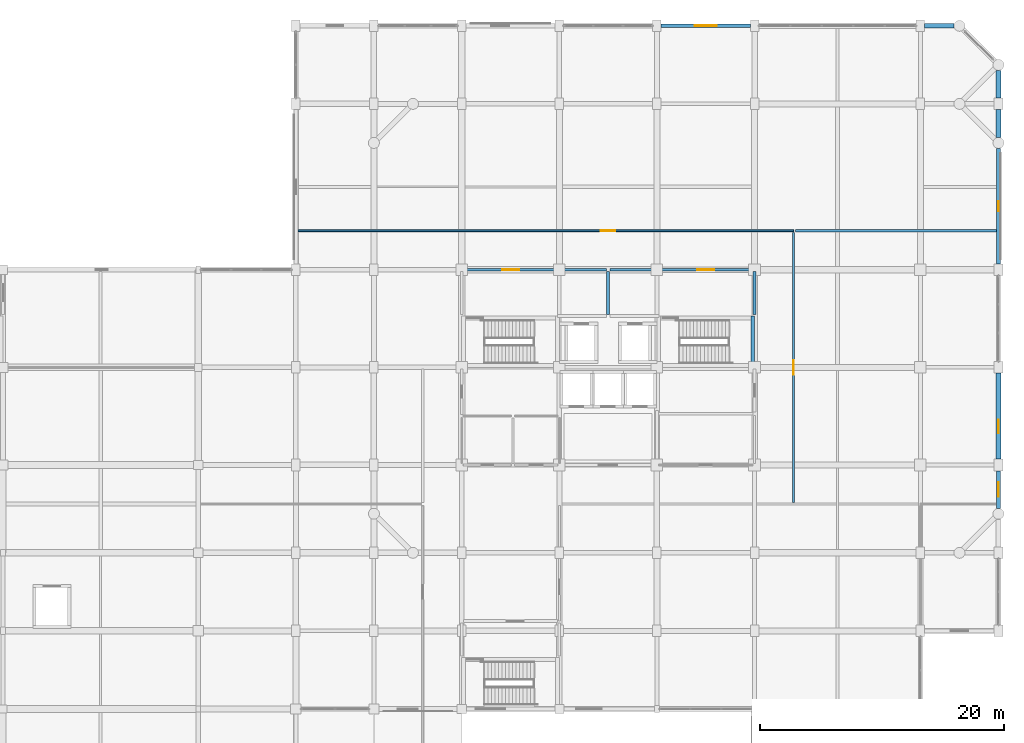
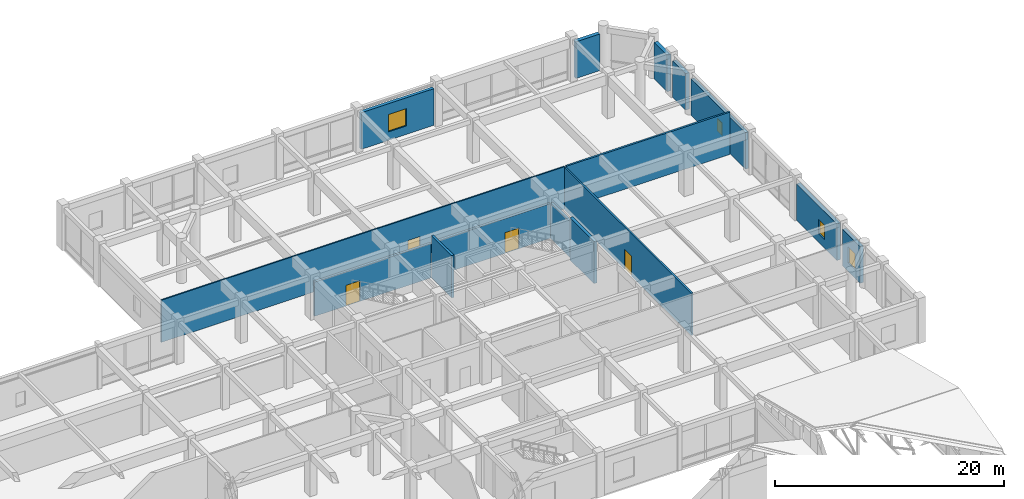
# One storey, part 55 of 61: 15 walls, 4 doors, 4 windows, 8 openings.
"""IFC4 building model written with IfcOpenShell, lengths in metres."""

from ifc_helpers import new_model, si_unit, direction, frame, frame_2d, origin, place, context, subcontext, project, spatial, rectangle, extrude, material, layer, layer_set, type_object, element, fill, save


model = new_model("IFC4")

# Units and contexts
model_context = context("Model", 3, precision=1e-05, world=origin(), true_north=direction((0.0, 1.0)))
body_context = subcontext(model_context, "Body", "Model", "MODEL_VIEW")
ifc_project = project(units=[si_unit("LENGTHUNIT", "METRE"), si_unit("AREAUNIT", "SQUARE_METRE"), si_unit("VOLUMEUNIT", "CUBIC_METRE"), si_unit("PLANEANGLEUNIT", "RADIAN"), si_unit("MASSUNIT", "GRAM", prefix="KILO")], contexts=[model_context])

# Site, building, storey
site_placement = place(None, origin())
site = spatial("IfcSite", under=ifc_project, at=site_placement, CompositionType="ELEMENT")
building_placement = place(site_placement, origin())
building = spatial("IfcBuilding", under=site, at=building_placement, Name="Vellmiral Cinema and Media Centre", CompositionType="ELEMENT")
storey_placement = place(building_placement, frame((0.0, 0.0, 10.800048828125)))
storey = spatial("IfcBuildingStorey", under=building, at=storey_placement, Name="L02", CompositionType="ELEMENT", Elevation=10.800048828125)

# Wall
ifc_material_1 = material(Name="Concrete C40/50", Category="concrete")
ifc_layer_1 = layer(ifc_material_1, 0.300048828125, Name="Concrete C40/50")
ifc_layer_set_1 = layer_set([ifc_layer_1], Name="Concrete C40/50")
wall_type_1 = type_object("IfcWallType", Name="WL-CORE-300", PredefinedType="SHEAR", material=ifc_layer_set_1)
wall_1_placement = place(storey_placement, frame((147.85009765625, 87.199951171875, 0.0), z_axis=(0.0, 0.0, 1.0), x_axis=(0.0, 1.0, 0.0)))
element("IfcWall", 1, at=wall_1_placement, inside=storey, type_object=wall_type_1, Name="Stair Core Wall ST-T2 L02-E", PredefinedType="SHEAR", context=body_context, shape_type="SweptSolid", body=[
    extrude(rectangle(XDim=4.199951171875, YDim=0.300048828125, at=frame_2d((2.10009765625, 0.0))), origin(), (0.0, 0.0, 1.0), 4.5),
])

# Wall, opening, window
ifc_material_2 = material(Name="Polychrome Glazed Ceramic Cladding", Category="masonry")
ifc_layer_2 = layer(ifc_material_2, 0.320068359375, Name="Polychrome Glazed Ceramic Cladding")
ifc_layer_set_2 = layer_set([ifc_layer_2], Name="Polychrome Glazed Ceramic Cladding")
wall_type_2 = type_object("IfcWallType", Name="WL-EXT-BRICK-320", PredefinedType="SOLIDWALL", material=ifc_layer_set_2)
wall_2_placement = place(storey_placement, frame((168.0, 75.64990234375, 0.0), z_axis=(0.0, 0.0, 1.0), x_axis=(0.0, 1.0, 0.0)))
wall_2 = element("IfcWall", 2, at=wall_2_placement, inside=storey, type_object=wall_type_2, Name="Exterior Facade Wall L02-045", PredefinedType="SOLIDWALL", context=body_context, shape_type="SweptSolid", body=[
    extrude(rectangle(XDim=3.0751953125, YDim=0.320068359375, at=frame_2d((1.53759765625, 0.0))), origin(), (0.0, 0.0, 1.0), 3.89990234375),
])
opening_1_placement = place(wall_2_placement, frame((0.9375, 0.0, 0.89990234375)))
opening_1 = element("IfcOpeningElement", 3, at=opening_1_placement, cuts=wall_2, Name="Opening WN-10", PredefinedType="OPENING", context=body_context, shape_type="SweptSolid", body=[
    extrude(rectangle(XDim=1.199951171875, YDim=1.699951171875, at=frame_2d((0.60009765625, 0.85009765625))), frame((0.0, 0.171875, 0.0), z_axis=(0.0, -1.0, 0.0), x_axis=(1.0, 0.0, 0.0)), (0.0, 0.0, 1.0), 0.343994140625),
])
ifc_material_3 = material(Name="Thermally Broken Aluminium Triple Glazing", Category="aluminium")
window_type_1 = type_object("IfcWindowType", Name="WN-1200x1700", PartitioningType="SINGLE_PANEL", PredefinedType="WINDOW", material=ifc_material_3)
window_1_placement = place(opening_1_placement, origin())
window_1 = element("IfcWindow", 4, at=window_1_placement, inside=storey, type_object=window_type_1, Name="Window L02-045", OverallHeight=1.699951171875, OverallWidth=1.199951171875, PartitioningType="SINGLE_PANEL", PredefinedType="WINDOW", context=body_context, shape_type="SweptSolid", body=[
    extrude(rectangle(XDim=1.199951171875, YDim=1.699951171875, at=frame_2d((0.60009765625, 0.85009765625))), frame((0.0, 0.030029296875, 0.0), z_axis=(0.0, -1.0, 0.0), x_axis=(1.0, 0.0, 0.0)), (0.0, 0.0, 1.0), 0.06005859375),
])
fill(opening_1, window_1)

wall_3_placement = place(storey_placement, frame((168.0, 95.675048828125, 0.0), z_axis=(0.0, 0.0, 1.0), x_axis=(0.0, 1.0, 0.0)))
wall_3 = element("IfcWall", 5, at=wall_3_placement, inside=storey, type_object=wall_type_2, Name="Exterior Facade Wall L02-048", PredefinedType="SOLIDWALL", context=body_context, shape_type="SweptSolid", body=[
    extrude(rectangle(XDim=9.474853515625, YDim=0.320068359375, at=frame_2d((4.7373046875, 0.0))), origin(), (0.0, 0.0, 1.0), 3.885009765625),
])
opening_2_placement = place(wall_3_placement, frame((4.3125, 0.0, 0.89990234375)))
opening_2 = element("IfcOpeningElement", 6, at=opening_2_placement, cuts=wall_3, Name="Opening WN-13", PredefinedType="OPENING", context=body_context, shape_type="SweptSolid", body=[
    extrude(rectangle(XDim=0.85009765625, YDim=1.35009765625, at=frame_2d((0.425048828125, 0.675048828125))), frame((0.0, 0.171875, 0.0), z_axis=(0.0, -1.0, 0.0), x_axis=(1.0, 0.0, 0.0)), (0.0, 0.0, 1.0), 0.343994140625),
])
ifc_material_4 = material(Name="Thermally Broken Aluminium Triple Glazing", Category="aluminium")
window_type_2 = type_object("IfcWindowType", Name="WN-0850x1350", PartitioningType="SINGLE_PANEL", PredefinedType="WINDOW", material=ifc_material_4)
window_2_placement = place(opening_2_placement, origin())
window_2 = element("IfcWindow", 7, at=window_2_placement, inside=storey, type_object=window_type_2, Name="Window L02-048", OverallHeight=1.35009765625, OverallWidth=0.85009765625, PartitioningType="SINGLE_PANEL", PredefinedType="WINDOW", context=body_context, shape_type="SweptSolid", body=[
    extrude(rectangle(XDim=0.85009765625, YDim=1.35009765625, at=frame_2d((0.425048828125, 0.675048828125))), frame((0.0, 0.030029296875, 0.0), z_axis=(0.0, -1.0, 0.0), x_axis=(1.0, 0.0, 0.0)), (0.0, 0.0, 1.0), 0.06005859375),
])
fill(opening_2, window_2)

wall_4_placement = place(storey_placement, frame((147.64990234375, 115.199951171875, 0.0), z_axis=(0.0, 0.0, 1.0), x_axis=(-1.0, 0.0, 0.0)))
wall_4 = element("IfcWall", 8, at=wall_4_placement, inside=storey, type_object=wall_type_2, Name="Exterior Facade Wall L02-054", PredefinedType="SOLIDWALL", context=body_context, shape_type="SweptSolid", body=[
    extrude(rectangle(XDim=7.2998046875, YDim=0.320068359375, at=frame_2d((3.64990234375, 0.0))), origin(), (0.0, 0.0, 1.0), 3.89990234375),
])
opening_3_placement = place(wall_4_placement, frame((2.75, 0.0, 0.89990234375)))
opening_3 = element("IfcOpeningElement", 9, at=opening_3_placement, cuts=wall_4, Name="Opening WN-04", PredefinedType="OPENING", context=body_context, shape_type="SweptSolid", body=[
    extrude(rectangle(XDim=1.800048828125, YDim=1.85009765625, at=frame_2d((0.89990234375, 0.925048828125))), frame((0.0, 0.171875, 0.0), z_axis=(0.0, -1.0, 0.0), x_axis=(1.0, 0.0, 0.0)), (0.0, 0.0, 1.0), 0.343994140625),
])
ifc_material_5 = material(Name="Thermally Broken Aluminium Triple Glazing", Category="aluminium")
window_type_3 = type_object("IfcWindowType", Name="WN-1800x1850", PartitioningType="DOUBLE_PANEL_VERTICAL", PredefinedType="WINDOW", material=ifc_material_5)
window_3_placement = place(opening_3_placement, origin())
window_3 = element("IfcWindow", 10, at=window_3_placement, inside=storey, type_object=window_type_3, Name="Window L02-054", OverallHeight=1.85009765625, OverallWidth=1.800048828125, PartitioningType="DOUBLE_PANEL_VERTICAL", PredefinedType="WINDOW", context=body_context, shape_type="SweptSolid", body=[
    extrude(rectangle(XDim=1.800048828125, YDim=1.85009765625, at=frame_2d((0.89990234375, 0.925048828125))), frame((0.0, 0.030029296875, 0.0), z_axis=(0.0, -1.0, 0.0), x_axis=(1.0, 0.0, 0.0)), (0.0, 0.0, 1.0), 0.06005859375),
])
fill(opening_3, window_3)

ifc_material_6 = material(Name="Vosges Red Sandstone Masonry", Category="masonry")
ifc_layer_3 = layer(ifc_material_6, 0.3798828125, Name="Vosges Red Sandstone Masonry")
ifc_layer_set_3 = layer_set([ifc_layer_3], Name="Vosges Red Sandstone Masonry")
wall_type_3 = type_object("IfcWallType", Name="WL-EXT-SAND-380", PredefinedType="SOLIDWALL", material=ifc_layer_set_3)
wall_5_placement = place(storey_placement, frame((168.0, 79.675048828125, 0.0), z_axis=(0.0, 0.0, 1.0), x_axis=(0.0, 1.0, 0.0)))
wall_5 = element("IfcWall", 11, at=wall_5_placement, inside=storey, type_object=wall_type_3, Name="Exterior Facade Wall L02-046", PredefinedType="SOLIDWALL", context=body_context, shape_type="SweptSolid", body=[
    extrude(rectangle(XDim=7.050048828125, YDim=0.3798828125, at=frame_2d((3.52490234375, 0.0))), origin(), (0.0, 0.0, 1.0), 3.89990234375),
])
opening_4_placement = place(wall_5_placement, frame((2.125, 0.0, 0.89990234375)))
opening_4 = element("IfcOpeningElement", 12, at=opening_4_placement, cuts=wall_5, Name="Opening WN-11", PredefinedType="OPENING", context=body_context, shape_type="SweptSolid", body=[
    extrude(rectangle(XDim=1.10009765625, YDim=1.550048828125, at=frame_2d((0.550048828125, 0.77490234375))), frame((0.0, 0.201904296875, 0.0), z_axis=(0.0, -1.0, 0.0), x_axis=(1.0, 0.0, 0.0)), (0.0, 0.0, 1.0), 0.40380859375),
])
ifc_material_7 = material(Name="Thermally Broken Aluminium Triple Glazing", Category="aluminium")
window_type_4 = type_object("IfcWindowType", Name="WN-1100x1550", PartitioningType="SINGLE_PANEL", PredefinedType="WINDOW", material=ifc_material_7)
window_4_placement = place(opening_4_placement, origin())
window_4 = element("IfcWindow", 13, at=window_4_placement, inside=storey, type_object=window_type_4, Name="Window L02-046", OverallHeight=1.550048828125, OverallWidth=1.10009765625, PartitioningType="SINGLE_PANEL", PredefinedType="WINDOW", context=body_context, shape_type="SweptSolid", body=[
    extrude(rectangle(XDim=1.10009765625, YDim=1.550048828125, at=frame_2d((0.550048828125, 0.77490234375))), frame((0.0, 0.030029296875, 0.0), z_axis=(0.0, -1.0, 0.0), x_axis=(1.0, 0.0, 0.0)), (0.0, 0.0, 1.0), 0.06005859375),
])
fill(opening_4, window_4)

# Walls
wall_6_placement = place(storey_placement, frame((168.0, 106.050048828125, 0.0), z_axis=(0.0, 0.0, 1.0), x_axis=(0.0, 1.0, 0.0)))
element("IfcWall", 14, at=wall_6_placement, inside=storey, type_object=wall_type_3, Name="Exterior Facade Wall L02-049", PredefinedType="SOLIDWALL", context=body_context, shape_type="SweptSolid", body=[
    extrude(rectangle(XDim=2.27490234375, YDim=0.3798828125, at=frame_2d((1.137451171875, 0.0))), origin(), (0.0, 0.0, 1.0), 3.885009765625),
])
wall_7_placement = place(storey_placement, frame((168.0, 109.27490234375, 0.0), z_axis=(0.0, 0.0, 1.0), x_axis=(0.0, 1.0, 0.0)))
element("IfcWall", 15, at=wall_7_placement, inside=storey, type_object=wall_type_3, Name="Exterior Facade Wall L02-050", PredefinedType="SOLIDWALL", context=body_context, shape_type="SweptSolid", body=[
    extrude(rectangle(XDim=2.275146484375, YDim=0.3798828125, at=frame_2d((1.1376953125, 0.0))), origin(), (0.0, 0.0, 1.0), 3.89990234375),
])
wall_8_placement = place(storey_placement, frame((164.35009765625, 115.199951171875, 0.0), z_axis=(0.0, 0.0, 1.0), x_axis=(-1.0, 0.0, 0.0)))
element("IfcWall", 16, at=wall_8_placement, inside=storey, type_object=wall_type_3, Name="Exterior Facade Wall L02-052", PredefinedType="SOLIDWALL", context=body_context, shape_type="SweptSolid", body=[
    extrude(rectangle(XDim=2.400146484375, YDim=0.3798828125, at=frame_2d((1.2001953125, 0.0))), origin(), (0.0, 0.0, 1.0), 3.89990234375),
])

# Wall, opening, door
ifc_material_8 = material(Name="Concrete C40/50", Category="concrete")
ifc_layer_4 = layer(ifc_material_8, 0.22998046875, Name="Concrete C40/50")
ifc_layer_set_4 = layer_set([ifc_layer_4], Name="Concrete C40/50")
wall_type_4 = type_object("IfcWallType", Name="WL-FFL-230", PredefinedType="SOLIDWALL", material=ifc_layer_set_4)
wall_9_placement = place(storey_placement, frame((124.139892578125, 95.199951171875, 0.0), z_axis=(0.0, 0.0, 1.0), x_axis=(1.0, 0.0, 0.0)))
wall_9 = element("IfcWall", 17, at=wall_9_placement, inside=storey, type_object=wall_type_4, Name="Firefighting Lobby West Wall N", PredefinedType="SOLIDWALL", context=body_context, shape_type="SweptSolid", body=[
    extrude(rectangle(XDim=11.72021484375, YDim=0.22998046875, at=frame_2d((5.860107421875, 0.0))), origin(), (0.0, 0.0, 1.0), 3.64501953125),
])
opening_5_placement = place(wall_9_placement, frame((3.159912109375, 0.0, 0.0)))
opening_5 = element("IfcOpeningElement", 18, at=opening_5_placement, cuts=wall_9, Name="Opening D-FD60B", PredefinedType="OPENING", context=body_context, shape_type="SweptSolid", body=[
    extrude(rectangle(XDim=1.39990234375, YDim=2.199951171875, at=frame_2d((0.699951171875, 1.10009765625))), frame((0.0, 0.126953125, 0.0), z_axis=(0.0, -1.0, 0.0), x_axis=(1.0, 0.0, 0.0)), (0.0, 0.0, 1.0), 0.25390625),
])
ifc_material_9 = material(Name="Steel Fire Door", Category="steel")
door_type_1 = type_object("IfcDoorType", Name="DR-FD60-1400x2200", OperationType="NOTDEFINED", PredefinedType="DOOR", material=ifc_material_9)
door_1_placement = place(opening_5_placement, frame((1.39990234375, 0.0, 0.0), z_axis=(0.0, 0.0, 1.0), x_axis=(-1.0, 0.0, 0.0)))
door_1 = element("IfcDoor", 19, at=door_1_placement, inside=storey, type_object=door_type_1, Name="Firefighting Lobby West Door", OperationType="SINGLE_SWING_RIGHT", OverallHeight=2.199951171875, OverallWidth=1.39990234375, PredefinedType="DOOR", context=body_context, shape_type="SweptSolid", body=[
    extrude(rectangle(XDim=1.39990234375, YDim=2.199951171875, at=frame_2d((0.699951171875, 1.10009765625))), frame((0.0, 0.02490234375, 0.0), z_axis=(0.0, -1.0, 0.0), x_axis=(1.0, 0.0, 0.0)), (0.0, 0.0, 1.0), 0.050048828125),
])
fill(opening_5, door_1)

# Wall
wall_10_placement = place(storey_placement, frame((136.0, 91.5400390625, 0.0), z_axis=(0.0, 0.0, 1.0), x_axis=(0.0, 1.0, 0.0)))
element("IfcWall", 20, at=wall_10_placement, inside=storey, type_object=wall_type_4, Name="Firefighting Lobby West Wall E", PredefinedType="SOLIDWALL", context=body_context, shape_type="SweptSolid", body=[
    extrude(rectangle(XDim=3.52001953125, YDim=0.22998046875, at=frame_2d((1.760009765625, 0.0))), origin(), (0.0, 0.0, 1.0), 4.5),
])

# Wall, opening, door
wall_11_placement = place(storey_placement, frame((136.139892578125, 95.199951171875, 0.0), z_axis=(0.0, 0.0, 1.0), x_axis=(1.0, 0.0, 0.0)))
wall_11 = element("IfcWall", 21, at=wall_11_placement, inside=storey, type_object=wall_type_4, Name="Firefighting Lobby East Wall N", PredefinedType="SOLIDWALL", context=body_context, shape_type="SweptSolid", body=[
    extrude(rectangle(XDim=11.72021484375, YDim=0.22998046875, at=frame_2d((5.860107421875, 0.0))), origin(), (0.0, 0.0, 1.0), 3.695068359375),
])
opening_6_placement = place(wall_11_placement, frame((7.159912109375, 0.0, 0.0)))
opening_6 = element("IfcOpeningElement", 22, at=opening_6_placement, cuts=wall_11, Name="Opening D-FD60B", PredefinedType="OPENING", context=body_context, shape_type="SweptSolid", body=[
    extrude(rectangle(XDim=1.39990234375, YDim=2.199951171875, at=frame_2d((0.699951171875, 1.10009765625))), frame((0.0, 0.126953125, 0.0), z_axis=(0.0, -1.0, 0.0), x_axis=(1.0, 0.0, 0.0)), (0.0, 0.0, 1.0), 0.25390625),
])
door_2_placement = place(opening_6_placement, frame((1.39990234375, 0.0, 0.0), z_axis=(0.0, 0.0, 1.0), x_axis=(-1.0, 0.0, 0.0)))
door_2 = element("IfcDoor", 23, at=door_2_placement, inside=storey, type_object=door_type_1, Name="Firefighting Lobby East Door", OperationType="SINGLE_SWING_LEFT", OverallHeight=2.199951171875, OverallWidth=1.39990234375, PredefinedType="DOOR", context=body_context, shape_type="SweptSolid", body=[
    extrude(rectangle(XDim=1.39990234375, YDim=2.199951171875, at=frame_2d((0.699951171875, 1.10009765625))), frame((0.0, 0.02490234375, 0.0), z_axis=(0.0, -1.0, 0.0), x_axis=(1.0, 0.0, 0.0)), (0.0, 0.0, 1.0), 0.050048828125),
])
fill(opening_6, door_2)

# Wall
wall_12_placement = place(storey_placement, frame((148.0, 91.5400390625, 0.0), z_axis=(0.0, 0.0, 1.0), x_axis=(0.0, 1.0, 0.0)))
element("IfcWall", 24, at=wall_12_placement, inside=storey, type_object=wall_type_4, Name="Firefighting Lobby East Wall E", PredefinedType="SOLIDWALL", context=body_context, shape_type="SweptSolid", body=[
    extrude(rectangle(XDim=3.52001953125, YDim=0.22998046875, at=frame_2d((1.760009765625, 0.0))), origin(), (0.0, 0.0, 1.0), 3.794921875),
])

# Wall, opening, door
ifc_material_10 = material(Name="Gypsum Plasterboard")
ifc_layer_5 = layer(ifc_material_10, 0.02490234375, Name="Gypsum Plasterboard", Category="gypsum")
ifc_material_11 = material(Name="Mineral Wool Acoustic Insulation", Category="insulation")
ifc_layer_6 = layer(ifc_material_11, 0.080078125, Name="Mineral Wool Acoustic Insulation", Category="insulation")
ifc_layer_7 = layer(ifc_material_10, 0.02490234375, Name="Gypsum Plasterboard", Category="gypsum")
ifc_layer_set_5 = layer_set([ifc_layer_5, ifc_layer_6, ifc_layer_7], Name="Gypsum Plasterboard")
wall_type_5 = type_object("IfcWallType", Name="WL-PART-130", PredefinedType="PARTITIONING", material=ifc_layer_set_5)
wall_13_placement = place(storey_placement, frame((110.574951171875, 98.39990234375, 0.0), z_axis=(0.0, 0.0, 1.0), x_axis=(1.0, 0.0, 0.0)))
wall_13 = element("IfcWall", 25, at=wall_13_placement, inside=storey, type_object=wall_type_5, Name="Tower L02 Broadcast Editorial Suite North Wall S", PredefinedType="PARTITIONING", context=body_context, shape_type="SweptSolid", body=[
    extrude(rectangle(XDim=40.625, YDim=0.1298828125, at=frame_2d((20.3125, 0.0))), origin(), (0.0, 0.0, 1.0), 4.5),
])
opening_7_placement = place(wall_13_placement, frame((24.824951171875, 0.0, 0.0)))
opening_7 = element("IfcOpeningElement", 26, at=opening_7_placement, cuts=wall_13, Name="Opening D-I05", PredefinedType="OPENING", context=body_context, shape_type="SweptSolid", body=[
    extrude(rectangle(XDim=1.199951171875, YDim=2.14990234375, at=frame_2d((0.60009765625, 1.074951171875))), frame((0.0, 0.076904296875, 0.0), z_axis=(0.0, -1.0, 0.0), x_axis=(1.0, 0.0, 0.0)), (0.0, 0.0, 1.0), 0.15380859375),
])
ifc_material_12 = material(Name="Laminated Timber Door", Category="wood")
door_type_2 = type_object("IfcDoorType", Name="DR-INT-1200x2150", OperationType="NOTDEFINED", PredefinedType="DOOR", material=ifc_material_12)
door_3_placement = place(opening_7_placement, origin())
door_3 = element("IfcDoor", 27, at=door_3_placement, inside=storey, type_object=door_type_2, Name="Tower L02 Broadcast Editorial Suite North Door", OperationType="SINGLE_SWING_RIGHT", OverallHeight=2.14990234375, OverallWidth=1.199951171875, PredefinedType="DOOR", context=body_context, shape_type="SweptSolid", body=[
    extrude(rectangle(XDim=1.199951171875, YDim=2.14990234375, at=frame_2d((0.60009765625, 1.074951171875))), frame((0.0, 0.02490234375, 0.0), z_axis=(0.0, -1.0, 0.0), x_axis=(1.0, 0.0, 0.0)), (0.0, 0.0, 1.0), 0.050048828125),
])
fill(opening_7, door_3)

ifc_material_13 = material(Name="Gypsum Plasterboard")
ifc_layer_8 = layer(ifc_material_13, 0.02490234375, Name="Gypsum Plasterboard", Category="gypsum")
ifc_material_14 = material(Name="Mineral Wool Acoustic Insulation", Category="insulation")
ifc_layer_9 = layer(ifc_material_14, 0.1201171875, Name="Mineral Wool Acoustic Insulation", Category="insulation")
ifc_layer_10 = layer(ifc_material_13, 0.02490234375, Name="Gypsum Plasterboard", Category="gypsum")
ifc_layer_set_6 = layer_set([ifc_layer_8, ifc_layer_9, ifc_layer_10], Name="Gypsum Plasterboard")
wall_type_6 = type_object("IfcWallType", Name="WL-PART-170", PredefinedType="PARTITIONING", material=ifc_layer_set_6)
wall_14_placement = place(storey_placement, frame((151.199951171875, 76.139892578125, 0.0), z_axis=(0.0, 0.0, 1.0), x_axis=(0.0, 1.0, 0.0)))
wall_14 = element("IfcWall", 28, at=wall_14_placement, inside=storey, type_object=wall_type_6, Name="Tower L02 Broadcast Editorial Suite East Wall W", PredefinedType="PARTITIONING", context=body_context, shape_type="SweptSolid", body=[
    extrude(rectangle(XDim=22.1201171875, YDim=0.169921875, at=frame_2d((11.06005859375, 0.0))), origin(), (0.0, 0.0, 1.0), 4.5),
])
opening_8_placement = place(wall_14_placement, frame((10.4599609375, 0.0, 0.0)))
opening_8 = element("IfcOpeningElement", 29, at=opening_8_placement, cuts=wall_14, Name="Opening D-I05", PredefinedType="OPENING", context=body_context, shape_type="SweptSolid", body=[
    extrude(rectangle(XDim=1.199951171875, YDim=2.14990234375, at=frame_2d((0.60009765625, 1.074951171875))), frame((0.0, 0.096923828125, 0.0), z_axis=(0.0, -1.0, 0.0), x_axis=(1.0, 0.0, 0.0)), (0.0, 0.0, 1.0), 0.19384765625),
])
door_4_placement = place(opening_8_placement, frame((1.199951171875, 0.0, 0.0), z_axis=(0.0, 0.0, 1.0), x_axis=(-1.0, 0.0, 0.0)))
door_4 = element("IfcDoor", 30, at=door_4_placement, inside=storey, type_object=door_type_2, Name="Tower L02 Broadcast Editorial Suite East Door", OperationType="SINGLE_SWING_RIGHT", OverallHeight=2.14990234375, OverallWidth=1.199951171875, PredefinedType="DOOR", context=body_context, shape_type="SweptSolid", body=[
    extrude(rectangle(XDim=1.199951171875, YDim=2.14990234375, at=frame_2d((0.60009765625, 1.074951171875))), frame((0.0, 0.02490234375, 0.0), z_axis=(0.0, -1.0, 0.0), x_axis=(1.0, 0.0, 0.0)), (0.0, 0.0, 1.0), 0.050048828125),
])
fill(opening_8, door_4)

# Wall
ifc_material_15 = material(Name="Gypsum Plasterboard")
ifc_layer_11 = layer(ifc_material_15, 0.02490234375, Name="Gypsum Plasterboard", Category="gypsum")
ifc_material_16 = material(Name="Mineral Wool Acoustic Insulation", Category="insulation")
ifc_layer_12 = layer(ifc_material_16, 0.139892578125, Name="Mineral Wool Acoustic Insulation", Category="insulation")
ifc_layer_13 = layer(ifc_material_15, 0.02490234375, Name="Gypsum Plasterboard", Category="gypsum")
ifc_layer_set_7 = layer_set([ifc_layer_11, ifc_layer_12, ifc_layer_13], Name="Gypsum Plasterboard")
wall_type_7 = type_object("IfcWallType", Name="WL-PART-190", PredefinedType="PARTITIONING", material=ifc_layer_set_7)
wall_15_placement = place(storey_placement, frame((151.340087890625, 98.39990234375, 0.0), z_axis=(0.0, 0.0, 1.0), x_axis=(1.0, 0.0, 0.0)))
element("IfcWall", 31, at=wall_15_placement, inside=storey, type_object=wall_type_7, Name="Tower L02 Broadcast Editorial Suite East Wall N", PredefinedType="PARTITIONING", context=body_context, shape_type="SweptSolid", body=[
    extrude(rectangle(XDim=16.48486328125, YDim=0.18994140625, at=frame_2d((8.242431640625, 0.0))), origin(), (0.0, 0.0, 1.0), 4.5),
])

save(model, "model.ifc")
